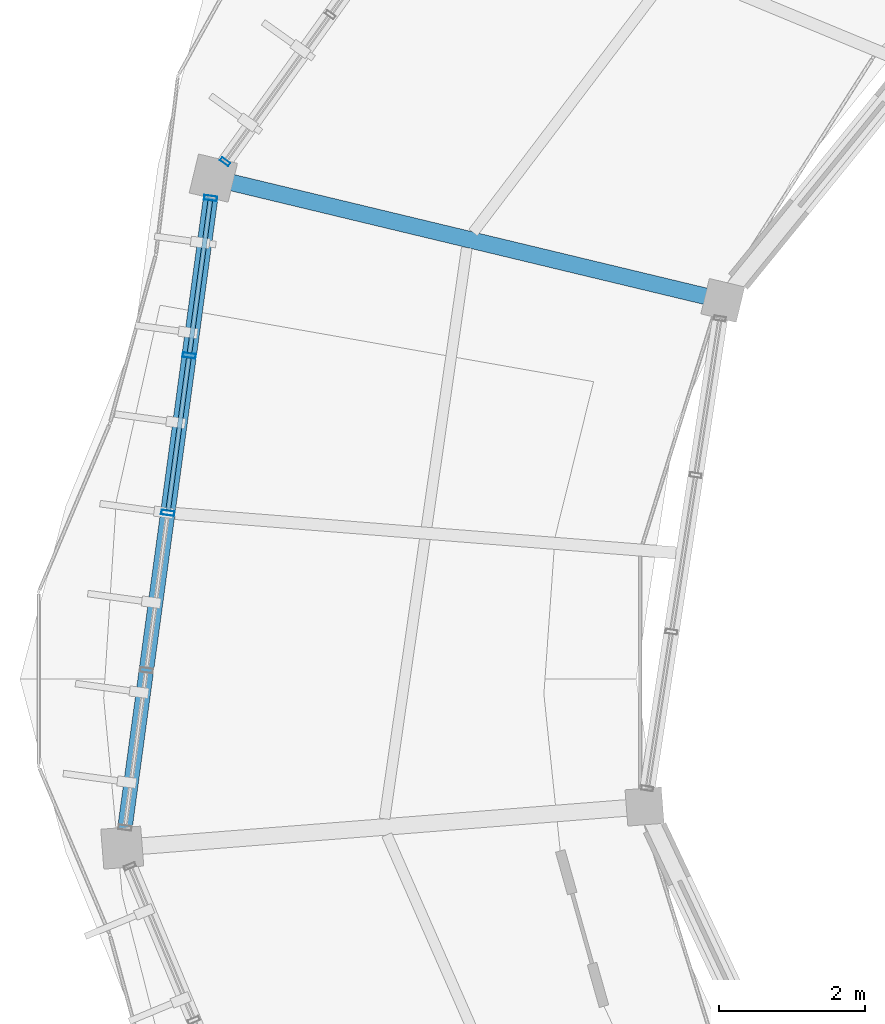
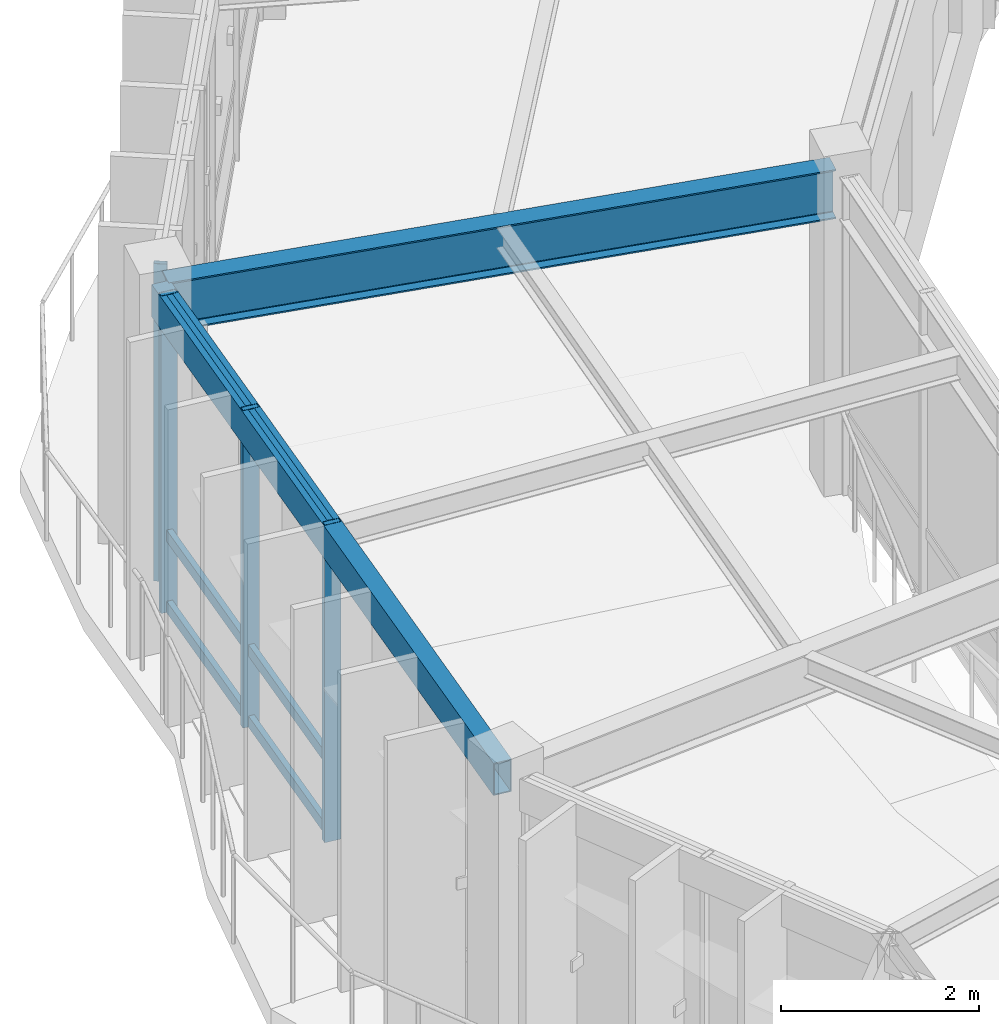
# One storey, part 22 of 79: 10 members, 2 beams, 2 elements without a shape of their own.
"""IFC4 building model written with IfcOpenShell, lengths in metres."""

import ifcopenshell
import ifcopenshell.guid

model = None  # the IFC model being written
_history = None  # IfcOwnerHistory: only IFC2X3 demands one
_inside = {}  # id of a spatial element -> (the spatial element, [elements in it])
_under = {}  # id of a project, library or spatial element -> (it, [spatial elements below it])
_declared = {}  # id of a project -> (the project, [libraries it declares])
_typed = {}  # id of a type object -> (the type object, [elements of that type])
_made_of = {}  # id of a material, layer set ... -> (it, [elements and type objects made of it])


def new_model(schema):
    """Start an empty IFC model of exactly this schema.

    Asked for "IFC4X3", IfcOpenShell would pick the latest addendum, in which some entities
    have other attributes; the version numbers below select the first issue.
    IFC2X3 requires an IfcOwnerHistory on every rooted entity: one is made here for all.
    """
    global model, _history
    if schema == "IFC4X3":
        model = ifcopenshell.file(schema_version=(4, 3, 0, 0))
    else:
        model = ifcopenshell.file(schema=schema)
    _inside.clear()
    _under.clear()
    _declared.clear()
    _typed.clear()
    _made_of.clear()
    _history = None
    if model.schema == "IFC2X3":
        org = make("IfcOrganization", Name="unknown")
        user = make(
            "IfcPersonAndOrganization",
            ThePerson=make("IfcPerson", FamilyName="unknown"),
            TheOrganization=org,
        )
        app = make(
            "IfcApplication",
            ApplicationDeveloper=org,
            Version="unknown",
            ApplicationFullName="unknown",
            ApplicationIdentifier="unknown",
        )
        _history = make(
            "IfcOwnerHistory",
            OwningUser=user,
            OwningApplication=app,
            ChangeAction="ADDED",
            CreationDate=0,
        )
    return model


def make(cls, **values):
    """One entity of the class cls with the attributes given. An attribute that is None is left unset."""
    return model.create_entity(
        cls, **{name: value for name, value in values.items() if value is not None}
    )


def rooted(cls, **values):
    """An entity with a GlobalId (a new one), such as an element, a storey or a relation."""
    return make(cls, GlobalId=ifcopenshell.guid.new(), OwnerHistory=_history, **values)


def si_unit(unit_type, name, prefix=None):
    """IfcSIUnit, for example si_unit("LENGTHUNIT", "METRE", prefix="MILLI")."""
    return make("IfcSIUnit", UnitType=unit_type, Prefix=prefix, Name=name)


def assignment(units):
    """IfcUnitAssignment: the units of a project."""
    return None if units is None else make("IfcUnitAssignment", Units=units)


def point(xyz):
    """IfcCartesianPoint."""
    return None if xyz is None else make("IfcCartesianPoint", Coordinates=xyz)


def direction(xyz):
    """IfcDirection."""
    return None if xyz is None else make("IfcDirection", DirectionRatios=xyz)


def frame(location, z_axis=None, x_axis=None):
    """IfcAxis2Placement3D, a coordinate frame: its origin and axes. An axis left out is left unset."""
    return make(
        "IfcAxis2Placement3D",
        Location=point(location),
        Axis=direction(z_axis),
        RefDirection=direction(x_axis),
    )


def frame_2d(location, x_axis=None):
    """IfcAxis2Placement2D, a coordinate frame in the plane: its origin and x axis."""
    return make(
        "IfcAxis2Placement2D", Location=point(location), RefDirection=direction(x_axis)
    )


def origin():
    """The frame at (0, 0, 0) with its axes left unset."""
    return frame((0.0, 0.0, 0.0))


def origin_2d():
    """The frame at (0, 0) in the plane with its x axis left unset."""
    return frame_2d((0.0, 0.0))


def place(relative_to, where):
    """IfcLocalPlacement: puts the frame where relative to a parent placement (None: the world)."""
    return make(
        "IfcLocalPlacement", PlacementRelTo=relative_to, RelativePlacement=where
    )


def context(
    kind, dimensions, precision=None, world=None, true_north=None, identifier=None
):
    """IfcGeometricRepresentationContext, for example the 3D "Model" context."""
    return make(
        "IfcGeometricRepresentationContext",
        ContextIdentifier=identifier,
        ContextType=kind,
        CoordinateSpaceDimension=dimensions,
        Precision=precision,
        WorldCoordinateSystem=world,
        TrueNorth=true_north,
    )


def subcontext(parent, identifier, kind, view, scale=None):
    """IfcGeometricRepresentationSubContext, for example "Body" below "Model"."""
    return make(
        "IfcGeometricRepresentationSubContext",
        ContextIdentifier=identifier,
        ContextType=kind,
        ParentContext=parent,
        TargetScale=scale,
        TargetView=view,
    )


def project(units=None, contexts=None):
    """IfcProject with its units and contexts."""
    return rooted(
        "IfcProject",
        Name="project",
        RepresentationContexts=contexts,
        UnitsInContext=assignment(units),
    )


def spatial(cls, under=None, at=None, **own):
    """A site, building, storey or space (cls), placed at a placement, below another one or the project."""
    s = rooted(cls, ObjectPlacement=at, **own)
    if under is not None:
        _under.setdefault(under.id(), (under, []))[1].append(s)
    return s


def profile(cls, at=None, kind="AREA", **sizes):
    """A parametric profile (cls). Its sizes go by their IFC names, for example OverallWidth=200.0."""
    return make(cls, ProfileType=kind, Position=at, **sizes)


def hollow_rectangle(**sizes):
    """IfcRectangleHollowProfileDef."""
    return profile("IfcRectangleHollowProfileDef", **sizes)


def i_section(**sizes):
    """IfcIShapeProfileDef."""
    return profile("IfcIShapeProfileDef", **sizes)


def extrude(swept, where, along, depth):
    """IfcExtrudedAreaSolid: the profile swept, set in the frame where, extruded along a direction by depth."""
    return make(
        "IfcExtrudedAreaSolid",
        SweptArea=swept,
        Position=where,
        ExtrudedDirection=direction(along),
        Depth=depth,
    )


def shape(context_of_items, identifier, shape_type, items):
    """IfcShapeRepresentation: the items that make up one representation, for example the "Body"."""
    return make(
        "IfcShapeRepresentation",
        ContextOfItems=context_of_items,
        RepresentationIdentifier=identifier,
        RepresentationType=shape_type,
        Items=items,
    )


def material(Name=None, Category=None):
    """IfcMaterial."""
    return make("IfcMaterial", Name=Name, Category=Category)


def material_profile(
    of_material, cross_section, Name=None, Category=None, Priority=None
):
    """IfcMaterialProfile: a cross section and its material."""
    return make(
        "IfcMaterialProfile",
        Name=Name,
        Material=of_material,
        Profile=cross_section,
        Priority=Priority,
        Category=Category,
    )


def profile_set(profiles, Name=None, composite=None):
    """IfcMaterialProfileSet."""
    return make(
        "IfcMaterialProfileSet",
        Name=Name,
        MaterialProfiles=profiles,
        CompositeProfile=composite,
    )


def made_of(thing, what):
    """Note that an element or type object is made of a material, layer set ...; save() writes the relation."""
    if what is not None:
        _made_of.setdefault(what.id(), (what, []))[1].append(thing)
    return thing


def type_object(cls, material=None, **own):
    """A type object (cls), such as IfcWallType, which elements share."""
    return made_of(rooted(cls, **own), material)


def element(
    cls,
    number,
    at=None,
    inside=None,
    cuts=None,
    type_object=None,
    material=None,
    context=None,
    identifier="Body",
    shape_type=None,
    held_by="IfcProductDefinitionShape",
    body=None,
    shapes=None,
    **own,
):
    """One element of the class cls, such as IfcWall. Its Tag is "e" and its number.

    at: its placement. inside: the storey or other place that contains it. cuts: it is an
    opening in that element (IfcRelVoidsElement). A single representation is given by context,
    identifier, shape_type and body (its items); several are given by shapes. held_by: the class
    of the entity that holds the representations. save() writes the other relations.
    """
    e = rooted(cls, Tag="e%d" % number, ObjectPlacement=at, **own)
    if body is not None:
        shapes = [shape(context, identifier, shape_type, body)]
    if shapes is not None:
        e.Representation = make(held_by, Representations=shapes)
    if inside is not None:
        _inside.setdefault(inside.id(), (inside, []))[1].append(e)
    if cuts is not None:
        rooted(
            "IfcRelVoidsElement", RelatingBuildingElement=cuts, RelatedOpeningElement=e
        )
    if type_object is not None:
        _typed.setdefault(type_object.id(), (type_object, []))[1].append(e)
    return made_of(e, material)


def aggregate(whole, parts):
    """IfcRelAggregates: a whole, such as a stair, and the parts it consists of."""
    return rooted("IfcRelAggregates", RelatingObject=whole, RelatedObjects=parts)


def save(model, path):
    """Write the relations noted so far, then the file.

    IfcRelAggregates (storeys below a building ...), IfcRelContainedInSpatialStructure (elements
    in a storey), IfcRelDefinesByType, IfcRelAssociatesMaterial and IfcRelDeclares: one each for
    every whole, place, type object, material and project.
    """
    for whole, parts in _under.values():
        aggregate(whole, parts)
    for where, things in _inside.values():
        rooted(
            "IfcRelContainedInSpatialStructure",
            RelatedElements=things,
            RelatingStructure=where,
        )
    for kind, things in _typed.values():
        rooted("IfcRelDefinesByType", RelatedObjects=things, RelatingType=kind)
    for what, things in _made_of.values():
        rooted("IfcRelAssociatesMaterial", RelatedObjects=things, RelatingMaterial=what)
    for by, libraries in _declared.values():
        rooted("IfcRelDeclares", RelatingContext=by, RelatedDefinitions=libraries)
    model.write(path)


model = new_model("IFC4")

# Units and contexts
model_context = context("Model", 3, precision=1e-05, world=origin(), true_north=direction((0.0, 1.0)))
body_context = subcontext(model_context, "Body", "Model", "MODEL_VIEW")
ifc_project = project(units=[si_unit("LENGTHUNIT", "METRE"), si_unit("AREAUNIT", "SQUARE_METRE"), si_unit("VOLUMEUNIT", "CUBIC_METRE"), si_unit("PLANEANGLEUNIT", "RADIAN"), si_unit("MASSUNIT", "GRAM", prefix="KILO"), si_unit("THERMODYNAMICTEMPERATUREUNIT", "KELVIN"), si_unit("POWERUNIT", "WATT")], contexts=[model_context])

# Site, building, storey
site_placement = place(None, origin())
site = spatial("IfcSite", under=ifc_project, at=site_placement, CompositionType="ELEMENT")
building_placement = place(site_placement, origin())
building = spatial("IfcBuilding", under=site, at=building_placement, Name="Darbajah Civic Hall", CompositionType="ELEMENT")
storey_placement = place(building_placement, frame((0.0, 0.0, 22.199951171875)))
storey = spatial("IfcBuildingStorey", under=building, at=storey_placement, Name="L05", CompositionType="ELEMENT", Elevation=22.199951171875)

# Curtain wall, member
ifc_material_1 = material(Name="Anodised Bronze Aluminium and Low-E Glazing", Category="aluminium")
curtain_wall_type_1 = type_object("IfcCurtainWallType", Name="Unitised Curtain Wall CW-68 9900x3900", PredefinedType="USERDEFINED", material=ifc_material_1)
curtain_wall_1_placement = place(storey_placement, origin())
curtain_wall_1 = element("IfcCurtainWall", 1, at=curtain_wall_1_placement, inside=storey, type_object=curtain_wall_type_1, Name="L05 unitised curtain wall CW-V1O-L05-08", ObjectType="UNITISED CURTAIN WALL", PredefinedType="USERDEFINED")
ifc_material_2 = material(Name="Anodised Bronze Aluminium", Category="aluminium")
ifc_material_profile_1 = material_profile(ifc_material_2, hollow_rectangle(XDim=0.054931640625, YDim=0.139892578125, WallThickness=0.003173828125, at=origin_2d()), Name="ALU MULLION 55x140")
ifc_profile_set_1 = profile_set([ifc_material_profile_1], Name="Anodised Bronze Aluminium")
member_type_1 = type_object("IfcMemberType", Name="ALU MULLION 55x140", PredefinedType="MULLION", material=ifc_profile_set_1)
member_1_placement = place(storey_placement, frame((39.67041015625, 96.911865234375, 0.0), z_axis=(0.0, 0.0, 1.0), x_axis=(-0.582264874145, -0.812999149039, 0.0)))
member_1 = element("IfcMember", 2, at=member_1_placement, type_object=member_type_1, Name="CW-V1O-L05-08 mullion 5", PredefinedType="MULLION", context=body_context, shape_type="SweptSolid", body=[
    extrude(hollow_rectangle(XDim=0.054931640625, YDim=0.139892578125, WallThickness=0.003173828125, at=origin_2d()), origin(), (0.0, 0.0, 1.0), 3.920166015625),
])
aggregate(curtain_wall_1, [member_1])

# Curtain wall, members
curtain_wall_type_2 = type_object("IfcCurtainWallType", Name="Unitised Curtain Wall CW-69 8700x3900", PredefinedType="USERDEFINED", material=ifc_material_1)
curtain_wall_2_placement = place(storey_placement, origin())
curtain_wall_2 = element("IfcCurtainWall", 3, at=curtain_wall_2_placement, inside=storey, type_object=curtain_wall_type_2, Name="L05 unitised curtain wall CW-V1O-L05-09", ObjectType="UNITISED CURTAIN WALL", PredefinedType="USERDEFINED")
ifc_material_profile_2 = material_profile(ifc_material_2, hollow_rectangle(XDim=0.06494140625, YDim=0.179931640625, WallThickness=0.00390625, at=origin_2d()), Name="ALU MULLION 65x180")
ifc_profile_set_2 = profile_set([ifc_material_profile_2], Name="Anodised Bronze Aluminium")
member_type_2 = type_object("IfcMemberType", Name="ALU MULLION 65x180", PredefinedType="MULLION", material=ifc_profile_set_2)
member_2_placement = place(storey_placement, frame((39.4716796875, 96.412109375, 0.0), z_axis=(0.0, 0.0, 1.0), x_axis=(-0.134850930274, -0.990865897387, 0.0)))
member_2 = element("IfcMember", 4, at=member_2_placement, type_object=member_type_2, Name="CW-V1O-L05-09 mullion 1", PredefinedType="MULLION", context=body_context, shape_type="SweptSolid", body=[
    extrude(hollow_rectangle(XDim=0.06494140625, YDim=0.179931640625, WallThickness=0.00390625, at=origin_2d()), origin(), (0.0, 0.0, 1.0), 3.920166015625),
])
member_3_placement = place(storey_placement, frame((39.177490234375, 94.2490234375, 0.0), z_axis=(0.0, 0.0, 1.0), x_axis=(-0.134850930274, -0.990865897387, 0.0)))
member_3 = element("IfcMember", 5, at=member_3_placement, type_object=member_type_2, Name="CW-V1O-L05-09 mullion 2", PredefinedType="MULLION", context=body_context, shape_type="SweptSolid", body=[
    extrude(hollow_rectangle(XDim=0.06494140625, YDim=0.179931640625, WallThickness=0.00390625, at=origin_2d()), origin(), (0.0, 0.0, 1.0), 3.920166015625),
])
member_4_placement = place(storey_placement, frame((38.88330078125, 92.086181640625, 0.0), z_axis=(0.0, 0.0, 1.0), x_axis=(-0.134850930274, -0.990865897387, 0.0)))
member_4 = element("IfcMember", 6, at=member_4_placement, type_object=member_type_2, Name="CW-V1O-L05-09 mullion 3", PredefinedType="MULLION", context=body_context, shape_type="SweptSolid", body=[
    extrude(hollow_rectangle(XDim=0.06494140625, YDim=0.179931640625, WallThickness=0.00390625, at=origin_2d()), origin(), (0.0, 0.0, 1.0), 3.920166015625),
])
ifc_material_profile_3 = material_profile(ifc_material_2, hollow_rectangle(XDim=0.06494140625, YDim=0.139892578125, WallThickness=0.00341796875, at=origin_2d()), Name="ALU TRANSOM 65x140")
ifc_profile_set_3 = profile_set([ifc_material_profile_3], Name="Anodised Bronze Aluminium")
member_type_3 = type_object("IfcMemberType", Name="ALU TRANSOM 65x140", PredefinedType="USERDEFINED", material=ifc_profile_set_3)
member_5_placement = place(storey_placement, frame((39.466796875, 96.375, 0.070068359375), z_axis=(-0.134803117964, -0.990872403182, 0.0), x_axis=(0.990872403182, -0.134803117964, 0.0)))
member_5 = element("IfcMember", 7, at=member_5_placement, type_object=member_type_3, Name="CW-V1O-L05-09 transom 1.1", ObjectType="TRANSOM", PredefinedType="USERDEFINED", context=body_context, shape_type="SweptSolid", body=[
    extrude(hollow_rectangle(XDim=0.06494140625, YDim=0.139892578125, WallThickness=0.00341796875, at=origin_2d()), origin(), (0.0, 0.0, 1.0), 2.108154296875),
])
member_6_placement = place(storey_placement, frame((39.466796875, 96.375, 0.949951171875), z_axis=(-0.134803117964, -0.990872403182, 0.0), x_axis=(0.990872403182, -0.134803117964, 0.0)))
member_6 = element("IfcMember", 8, at=member_6_placement, type_object=member_type_3, Name="CW-V1O-L05-09 transom 1.2", ObjectType="TRANSOM", PredefinedType="USERDEFINED", context=body_context, shape_type="SweptSolid", body=[
    extrude(hollow_rectangle(XDim=0.06494140625, YDim=0.139892578125, WallThickness=0.00341796875, at=origin_2d()), origin(), (0.0, 0.0, 1.0), 2.108154296875),
])
member_7_placement = place(storey_placement, frame((39.466796875, 96.375, 3.85009765625), z_axis=(-0.134803117964, -0.990872403182, 0.0), x_axis=(0.990872403182, -0.134803117964, 0.0)))
member_7 = element("IfcMember", 9, at=member_7_placement, type_object=member_type_3, Name="CW-V1O-L05-09 transom 1.3", ObjectType="TRANSOM", PredefinedType="USERDEFINED", context=body_context, shape_type="SweptSolid", body=[
    extrude(hollow_rectangle(XDim=0.06494140625, YDim=0.139892578125, WallThickness=0.00341796875, at=origin_2d()), origin(), (0.0, 0.0, 1.0), 2.108154296875),
])
member_8_placement = place(storey_placement, frame((39.17236328125, 94.2119140625, 0.070068359375), z_axis=(-0.134818588808, -0.99087029833, 0.0), x_axis=(0.99087029833, -0.134818588808, 0.0)))
member_8 = element("IfcMember", 10, at=member_8_placement, type_object=member_type_3, Name="CW-V1O-L05-09 transom 2.1", ObjectType="TRANSOM", PredefinedType="USERDEFINED", context=body_context, shape_type="SweptSolid", body=[
    extrude(hollow_rectangle(XDim=0.06494140625, YDim=0.139892578125, WallThickness=0.00341796875, at=origin_2d()), origin(), (0.0, 0.0, 1.0), 2.10791015625),
])
member_9_placement = place(storey_placement, frame((39.17236328125, 94.2119140625, 0.949951171875), z_axis=(-0.134818588808, -0.99087029833, 0.0), x_axis=(0.99087029833, -0.134818588808, 0.0)))
member_9 = element("IfcMember", 11, at=member_9_placement, type_object=member_type_3, Name="CW-V1O-L05-09 transom 2.2", ObjectType="TRANSOM", PredefinedType="USERDEFINED", context=body_context, shape_type="SweptSolid", body=[
    extrude(hollow_rectangle(XDim=0.06494140625, YDim=0.139892578125, WallThickness=0.00341796875, at=origin_2d()), origin(), (0.0, 0.0, 1.0), 2.10791015625),
])
member_10_placement = place(storey_placement, frame((39.17236328125, 94.2119140625, 3.85009765625), z_axis=(-0.134818588808, -0.99087029833, 0.0), x_axis=(0.99087029833, -0.134818588808, 0.0)))
member_10 = element("IfcMember", 12, at=member_10_placement, type_object=member_type_3, Name="CW-V1O-L05-09 transom 2.3", ObjectType="TRANSOM", PredefinedType="USERDEFINED", context=body_context, shape_type="SweptSolid", body=[
    extrude(hollow_rectangle(XDim=0.06494140625, YDim=0.139892578125, WallThickness=0.00341796875, at=origin_2d()), origin(), (0.0, 0.0, 1.0), 2.10791015625),
])
aggregate(curtain_wall_2, [member_2, member_3, member_4, member_5, member_6, member_7, member_8, member_9, member_10])

# Beams
ifc_material_3 = material(Name="Steel S355JR", Category="steel")
ifc_material_profile_4 = material_profile(ifc_material_3, hollow_rectangle(XDim=0.199951171875, YDim=0.39990234375, WallThickness=0.013916015625, at=origin_2d()), Name="RHS 400x200x14")
ifc_profile_set_4 = profile_set([ifc_material_profile_4], Name="Steel S355JR")
beam_type_1 = type_object("IfcBeamType", Name="RHS 400x200x14", PredefinedType="SPANDREL", material=ifc_profile_set_4)
beam_1_placement = place(storey_placement, frame((39.498291015625, 96.607421875, 3.719970703125), z_axis=(-0.134804002093, -0.9908722829, 0.0), x_axis=(0.9908722829, -0.134804002093, 0.0)))
element("IfcBeam", 13, at=beam_1_placement, inside=storey, type_object=beam_type_1, Name="L05 beam SP-RHS400", PredefinedType="SPANDREL", context=body_context, shape_type="SweptSolid", body=[
    extrude(hollow_rectangle(XDim=0.199951171875, YDim=0.39990234375, WallThickness=0.013916015625, at=origin_2d()), origin(), (0.0, 0.0, 1.0), 9.1259765625),
])
ifc_material_profile_5 = material_profile(ifc_material_3, i_section(OverallWidth=0.228271484375, OverallDepth=0.607666015625, WebThickness=0.010986328125, FlangeThickness=0.017333984375, FilletRadius=0.0126953125, at=origin_2d()), Name="UB 610x229x113")
ifc_profile_set_5 = profile_set([ifc_material_profile_5], Name="Steel S355JR")
beam_type_2 = type_object("IfcBeamType", Name="UB 610x229x113", PredefinedType="BEAM", material=ifc_profile_set_5)
beam_2_placement = place(storey_placement, frame((46.432373046875, 95.0244140625, 3.6162109375), z_axis=(-0.972366522162, 0.233459518071, 0.0), x_axis=(-0.233459518071, -0.972366522162, 0.0)))
element("IfcBeam", 14, at=beam_2_placement, inside=storey, type_object=beam_type_2, Name="L05 beam SB-610", PredefinedType="BEAM", context=body_context, shape_type="SweptSolid", body=[
    extrude(i_section(OverallWidth=0.228271484375, OverallDepth=0.607666015625, WebThickness=0.010986328125, FlangeThickness=0.017333984375, FilletRadius=0.0126953125, at=origin_2d()), origin(), (0.0, 0.0, 1.0), 7.0400390625),
])

save(model, "model.ifc")
